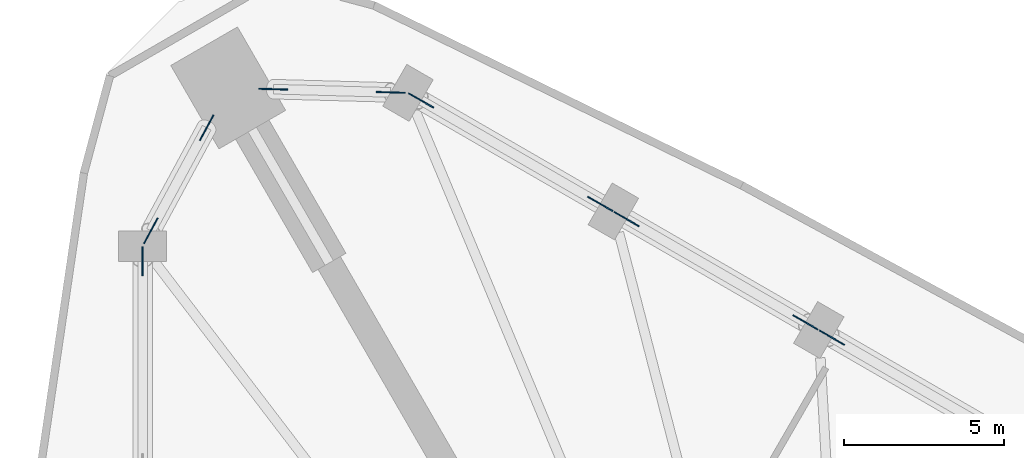
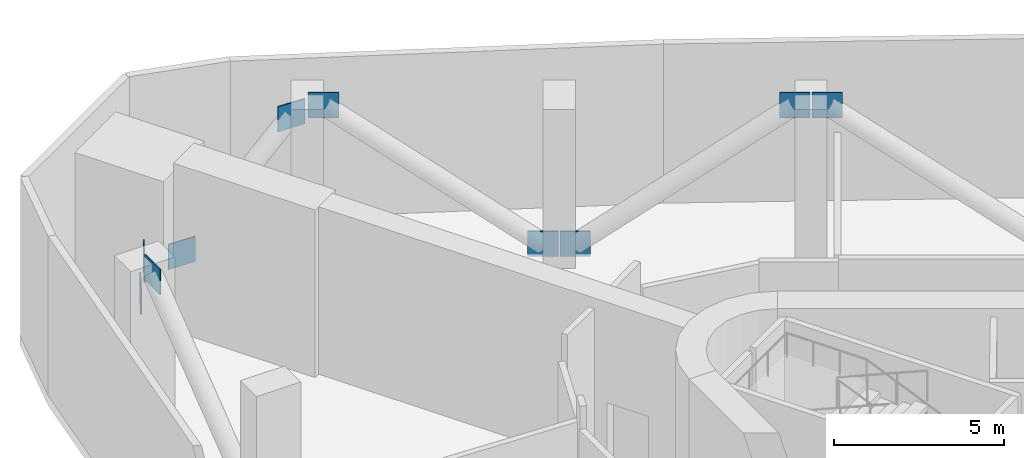
# One storey, part 11 of 13: 10 discrete accessories.
"""IFC4 building model written with IfcOpenShell, lengths in metres."""

from ifc_helpers import new_model, si_unit, direction, frame, origin, origin_2d, place, context, subcontext, project, spatial, rectangle, extrude, material, layer, layer_set, type_object, element, save


model = new_model("IFC4")

# Units and contexts
model_context = context("Model", 3, precision=1e-05, world=origin(), true_north=direction((0.0, 1.0)))
body_context = subcontext(model_context, "Body", "Model", "MODEL_VIEW")
ifc_project = project(units=[si_unit("LENGTHUNIT", "METRE"), si_unit("AREAUNIT", "SQUARE_METRE"), si_unit("VOLUMEUNIT", "CUBIC_METRE"), si_unit("PLANEANGLEUNIT", "RADIAN"), si_unit("MASSUNIT", "GRAM", prefix="KILO")], contexts=[model_context])

# Site, building, storey
site_placement = place(None, origin())
site = spatial("IfcSite", under=ifc_project, at=site_placement, CompositionType="ELEMENT")
building_placement = place(site_placement, origin())
building = spatial("IfcBuilding", under=site, at=building_placement, Name="Tanit Gate Tower", CompositionType="ELEMENT")
storey_placement = place(building_placement, frame((0.0, 0.0, 163.199951171875)))
storey = spatial("IfcBuildingStorey", under=building, at=storey_placement, Name="L35", CompositionType="ELEMENT", Elevation=163.199951171875)

# Discrete accessories
ifc_material = material(Name="Steel S460", Category="steel")
ifc_layer = layer(ifc_material, 0.0400390625)
ifc_layer_set = layer_set([ifc_layer], Name="GUSSET PLATE 900x900x40 S460")
discrete_accessory_type = type_object("IfcDiscreteAccessoryType", Name="GUSSET PLATE 900x900x40 S460", PredefinedType="BRACKET", material=ifc_layer_set)
for number, where, z_axis, x_axis, name in (
    (1, (-22.58251953125, 29.0908203125, 4.8837890625), (0.0, 0.0, 1.0), (0.0, -1.0, 0.0), "GUSSET PLATE NODE L35-044"),
    (2, (-22.3251953125, 30.040771484375, 4.70068359375), (0.0, 0.0, 1.0), (0.475992633666, 0.879449266698, 0.0), "GUSSET PLATE NODE L35-046"),
    (3, (-20.585693359375, 33.255126953125, 0.98291015625), (0.0, 0.0, 1.0), (-0.475992633666, -0.879449266698, 0.0), "GUSSET PLATE NODE L35-048"),
    (4, (-18.507080078125, 34.455078125, 0.98291015625), (0.0, 0.0, 1.0), (0.999622202997, -0.027485473886, 0.0), "GUSSET PLATE NODE L35-050"),
    (5, (-14.853515625, 34.354736328125, 4.70068359375), (0.0, 0.0, 1.0), (-0.999622202997, 0.027485473886, 0.0), "GUSSET PLATE NODE L35-052"),
    (6, (-13.902099609375, 34.102294921875, 4.8837890625), (0.0, 0.0, 1.0), (0.866025403784, -0.5, 0.0), "GUSSET PLATE NODE L35-054"),
    (7, (-8.32373046875, 30.881591796875, -0.08349609375), (0.0, 0.0, 1.0), (-0.866025403784, 0.5, 0.0), "GUSSET PLATE NODE L35-056"),
    (8, (-7.5009765625, 30.406494140625, -0.08349609375), (0.0, 0.0, 1.0), (0.866025403784, -0.5, 0.0), "GUSSET PLATE NODE L35-058"),
    (9, (-1.922607421875, 27.185791015625, 4.8837890625), (0.0, 0.0, 1.0), (-0.866025403784, 0.5, 0.0), "GUSSET PLATE NODE L35-060"),
    (10, (-1.099609375, 26.7109375, 4.8837890625), (0.0, 0.0, 1.0), (0.866025403784, -0.5, 0.0), "GUSSET PLATE NODE L35-062"),
):
    element("IfcDiscreteAccessory", number, at=place(storey_placement, frame(where, z_axis=z_axis, x_axis=x_axis)), inside=storey, type_object=discrete_accessory_type, Name=name, PredefinedType="BRACKET", context=body_context, shape_type="SweptSolid", body=[
        extrude(rectangle(XDim=0.89990234375, YDim=0.0400390625, at=origin_2d()), origin(), (0.0, 0.0, 1.0), 0.89990234375),
    ])

save(model, "model.ifc")
